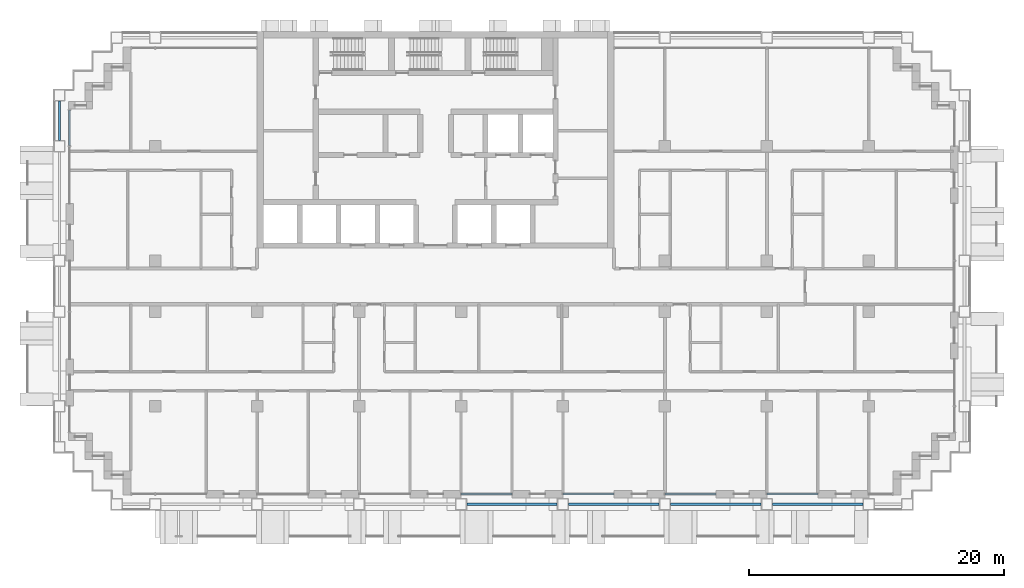
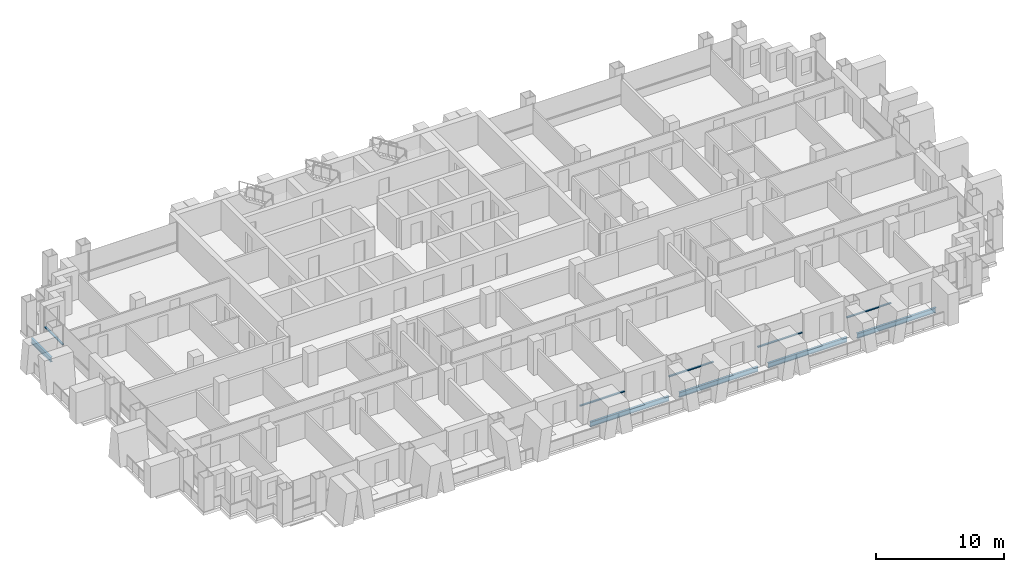
# One storey, part 3 of 18: 5 beams, 5 members, 5 elements without a shape of their own.
"""IFC4 building model written with IfcOpenShell, lengths in metres."""

import ifcopenshell
import ifcopenshell.guid

model = None  # the IFC model being written
_history = None  # IfcOwnerHistory: only IFC2X3 demands one
_inside = {}  # id of a spatial element -> (the spatial element, [elements in it])
_under = {}  # id of a project, library or spatial element -> (it, [spatial elements below it])
_declared = {}  # id of a project -> (the project, [libraries it declares])
_typed = {}  # id of a type object -> (the type object, [elements of that type])
_made_of = {}  # id of a material, layer set ... -> (it, [elements and type objects made of it])


def new_model(schema):
    """Start an empty IFC model of exactly this schema.

    Asked for "IFC4X3", IfcOpenShell would pick the latest addendum, in which some entities
    have other attributes; the version numbers below select the first issue.
    IFC2X3 requires an IfcOwnerHistory on every rooted entity: one is made here for all.
    """
    global model, _history
    if schema == "IFC4X3":
        model = ifcopenshell.file(schema_version=(4, 3, 0, 0))
    else:
        model = ifcopenshell.file(schema=schema)
    _inside.clear()
    _under.clear()
    _declared.clear()
    _typed.clear()
    _made_of.clear()
    _history = None
    if model.schema == "IFC2X3":
        org = make("IfcOrganization", Name="unknown")
        user = make(
            "IfcPersonAndOrganization",
            ThePerson=make("IfcPerson", FamilyName="unknown"),
            TheOrganization=org,
        )
        app = make(
            "IfcApplication",
            ApplicationDeveloper=org,
            Version="unknown",
            ApplicationFullName="unknown",
            ApplicationIdentifier="unknown",
        )
        _history = make(
            "IfcOwnerHistory",
            OwningUser=user,
            OwningApplication=app,
            ChangeAction="ADDED",
            CreationDate=0,
        )
    return model


def make(cls, **values):
    """One entity of the class cls with the attributes given. An attribute that is None is left unset."""
    return model.create_entity(
        cls, **{name: value for name, value in values.items() if value is not None}
    )


def rooted(cls, **values):
    """An entity with a GlobalId (a new one), such as an element, a storey or a relation."""
    return make(cls, GlobalId=ifcopenshell.guid.new(), OwnerHistory=_history, **values)


def si_unit(unit_type, name, prefix=None):
    """IfcSIUnit, for example si_unit("LENGTHUNIT", "METRE", prefix="MILLI")."""
    return make("IfcSIUnit", UnitType=unit_type, Prefix=prefix, Name=name)


def assignment(units):
    """IfcUnitAssignment: the units of a project."""
    return None if units is None else make("IfcUnitAssignment", Units=units)


def point(xyz):
    """IfcCartesianPoint."""
    return None if xyz is None else make("IfcCartesianPoint", Coordinates=xyz)


def direction(xyz):
    """IfcDirection."""
    return None if xyz is None else make("IfcDirection", DirectionRatios=xyz)


def frame(location, z_axis=None, x_axis=None):
    """IfcAxis2Placement3D, a coordinate frame: its origin and axes. An axis left out is left unset."""
    return make(
        "IfcAxis2Placement3D",
        Location=point(location),
        Axis=direction(z_axis),
        RefDirection=direction(x_axis),
    )


def frame_2d(location, x_axis=None):
    """IfcAxis2Placement2D, a coordinate frame in the plane: its origin and x axis."""
    return make(
        "IfcAxis2Placement2D", Location=point(location), RefDirection=direction(x_axis)
    )


def origin():
    """The frame at (0, 0, 0) with its axes left unset."""
    return frame((0.0, 0.0, 0.0))


def origin_2d():
    """The frame at (0, 0) in the plane with its x axis left unset."""
    return frame_2d((0.0, 0.0))


def place(relative_to, where):
    """IfcLocalPlacement: puts the frame where relative to a parent placement (None: the world)."""
    return make(
        "IfcLocalPlacement", PlacementRelTo=relative_to, RelativePlacement=where
    )


def context(
    kind, dimensions, precision=None, world=None, true_north=None, identifier=None
):
    """IfcGeometricRepresentationContext, for example the 3D "Model" context."""
    return make(
        "IfcGeometricRepresentationContext",
        ContextIdentifier=identifier,
        ContextType=kind,
        CoordinateSpaceDimension=dimensions,
        Precision=precision,
        WorldCoordinateSystem=world,
        TrueNorth=true_north,
    )


def subcontext(parent, identifier, kind, view, scale=None):
    """IfcGeometricRepresentationSubContext, for example "Body" below "Model"."""
    return make(
        "IfcGeometricRepresentationSubContext",
        ContextIdentifier=identifier,
        ContextType=kind,
        ParentContext=parent,
        TargetScale=scale,
        TargetView=view,
    )


def project(units=None, contexts=None):
    """IfcProject with its units and contexts."""
    return rooted(
        "IfcProject",
        Name="project",
        RepresentationContexts=contexts,
        UnitsInContext=assignment(units),
    )


def spatial(cls, under=None, at=None, **own):
    """A site, building, storey or space (cls), placed at a placement, below another one or the project."""
    s = rooted(cls, ObjectPlacement=at, **own)
    if under is not None:
        _under.setdefault(under.id(), (under, []))[1].append(s)
    return s


def profile(cls, at=None, kind="AREA", **sizes):
    """A parametric profile (cls). Its sizes go by their IFC names, for example OverallWidth=200.0."""
    return make(cls, ProfileType=kind, Position=at, **sizes)


def rectangle(**sizes):
    """IfcRectangleProfileDef."""
    return profile("IfcRectangleProfileDef", **sizes)


def i_section(**sizes):
    """IfcIShapeProfileDef."""
    return profile("IfcIShapeProfileDef", **sizes)


def extrude(swept, where, along, depth):
    """IfcExtrudedAreaSolid: the profile swept, set in the frame where, extruded along a direction by depth."""
    return make(
        "IfcExtrudedAreaSolid",
        SweptArea=swept,
        Position=where,
        ExtrudedDirection=direction(along),
        Depth=depth,
    )


def shape(context_of_items, identifier, shape_type, items):
    """IfcShapeRepresentation: the items that make up one representation, for example the "Body"."""
    return make(
        "IfcShapeRepresentation",
        ContextOfItems=context_of_items,
        RepresentationIdentifier=identifier,
        RepresentationType=shape_type,
        Items=items,
    )


def material(Name=None, Category=None):
    """IfcMaterial."""
    return make("IfcMaterial", Name=Name, Category=Category)


def material_profile(
    of_material, cross_section, Name=None, Category=None, Priority=None
):
    """IfcMaterialProfile: a cross section and its material."""
    return make(
        "IfcMaterialProfile",
        Name=Name,
        Material=of_material,
        Profile=cross_section,
        Priority=Priority,
        Category=Category,
    )


def profile_set(profiles, Name=None, composite=None):
    """IfcMaterialProfileSet."""
    return make(
        "IfcMaterialProfileSet",
        Name=Name,
        MaterialProfiles=profiles,
        CompositeProfile=composite,
    )


def made_of(thing, what):
    """Note that an element or type object is made of a material, layer set ...; save() writes the relation."""
    if what is not None:
        _made_of.setdefault(what.id(), (what, []))[1].append(thing)
    return thing


def type_object(cls, material=None, **own):
    """A type object (cls), such as IfcWallType, which elements share."""
    return made_of(rooted(cls, **own), material)


def element(
    cls,
    number,
    at=None,
    inside=None,
    cuts=None,
    type_object=None,
    material=None,
    context=None,
    identifier="Body",
    shape_type=None,
    held_by="IfcProductDefinitionShape",
    body=None,
    shapes=None,
    **own,
):
    """One element of the class cls, such as IfcWall. Its Tag is "e" and its number.

    at: its placement. inside: the storey or other place that contains it. cuts: it is an
    opening in that element (IfcRelVoidsElement). A single representation is given by context,
    identifier, shape_type and body (its items); several are given by shapes. held_by: the class
    of the entity that holds the representations. save() writes the other relations.
    """
    e = rooted(cls, Tag="e%d" % number, ObjectPlacement=at, **own)
    if body is not None:
        shapes = [shape(context, identifier, shape_type, body)]
    if shapes is not None:
        e.Representation = make(held_by, Representations=shapes)
    if inside is not None:
        _inside.setdefault(inside.id(), (inside, []))[1].append(e)
    if cuts is not None:
        rooted(
            "IfcRelVoidsElement", RelatingBuildingElement=cuts, RelatedOpeningElement=e
        )
    if type_object is not None:
        _typed.setdefault(type_object.id(), (type_object, []))[1].append(e)
    return made_of(e, material)


def aggregate(whole, parts):
    """IfcRelAggregates: a whole, such as a stair, and the parts it consists of."""
    return rooted("IfcRelAggregates", RelatingObject=whole, RelatedObjects=parts)


def save(model, path):
    """Write the relations noted so far, then the file.

    IfcRelAggregates (storeys below a building ...), IfcRelContainedInSpatialStructure (elements
    in a storey), IfcRelDefinesByType, IfcRelAssociatesMaterial and IfcRelDeclares: one each for
    every whole, place, type object, material and project.
    """
    for whole, parts in _under.values():
        aggregate(whole, parts)
    for where, things in _inside.values():
        rooted(
            "IfcRelContainedInSpatialStructure",
            RelatedElements=things,
            RelatingStructure=where,
        )
    for kind, things in _typed.values():
        rooted("IfcRelDefinesByType", RelatedObjects=things, RelatingType=kind)
    for what, things in _made_of.values():
        rooted("IfcRelAssociatesMaterial", RelatedObjects=things, RelatingMaterial=what)
    for by, libraries in _declared.values():
        rooted("IfcRelDeclares", RelatingContext=by, RelatedDefinitions=libraries)
    model.write(path)


model = new_model("IFC4")

# Units and contexts
model_context = context("Model", 3, precision=1e-05, world=origin(), true_north=direction((0.0, 1.0)))
body_context = subcontext(model_context, "Body", "Model", "MODEL_VIEW")
ifc_project = project(units=[si_unit("LENGTHUNIT", "METRE"), si_unit("AREAUNIT", "SQUARE_METRE"), si_unit("VOLUMEUNIT", "CUBIC_METRE"), si_unit("PLANEANGLEUNIT", "RADIAN"), si_unit("MASSUNIT", "GRAM", prefix="KILO")], contexts=[model_context])

# Site, building, storey
site_placement = place(None, origin())
site = spatial("IfcSite", under=ifc_project, at=site_placement, CompositionType="ELEMENT")
building_placement = place(site_placement, origin())
building = spatial("IfcBuilding", under=site, at=building_placement, Name="Vidyagriha Tower", CompositionType="ELEMENT")
storey_placement = place(building_placement, frame((0.0, 0.0, 103.10009765625)))
storey = spatial("IfcBuildingStorey", under=building, at=storey_placement, Name="L27", CompositionType="ELEMENT", Elevation=103.10009765625)

# Beams
ifc_material_1 = material(Name="Steel ASTM A992 Grade 50", Category="steel")
ifc_material_profile_1 = material_profile(ifc_material_1, i_section(OverallWidth=0.19189453125, OverallDepth=0.46240234375, WebThickness=0.010498046875, FlangeThickness=0.017578125, at=origin_2d()), Name="W18X60")
ifc_profile_set_1 = profile_set([ifc_material_profile_1], Name="Steel ASTM A992 Grade 50")
beam_type = type_object("IfcBeamType", Name="Edge beam W18X60", PredefinedType="SPANDREL", material=ifc_profile_set_1)
for number, where, z_axis, x_axis, name in (
    (1, (2.449951171875, -17.10009765625, -0.51123046875), (1.0, 0.0, 0.0), (0.0, 1.0, 0.0), "st-beam-L27-S05"),
    (2, (10.449951171875, -17.10009765625, -0.51123046875), (1.0, 0.0, 0.0), (0.0, 1.0, 0.0), "st-beam-L27-S06"),
    (3, (18.449951171875, -17.10009765625, -0.51123046875), (1.0, 0.0, 0.0), (0.0, 1.0, 0.0), "st-beam-L27-S07"),
    (4, (26.449951171875, -17.10009765625, -0.51123046875), (1.0, 0.0, 0.0), (0.0, 1.0, 0.0), "st-beam-L27-S08"),
):
    element("IfcBeam", number, at=place(storey_placement, frame(where, z_axis=z_axis, x_axis=x_axis)), inside=storey, type_object=beam_type, Name=name, PredefinedType="SPANDREL", context=body_context, shape_type="SweptSolid", body=[
        extrude(i_section(OverallWidth=0.19189453125, OverallDepth=0.46240234375, WebThickness=0.010498046875, FlangeThickness=0.017578125, at=origin_2d()), origin(), (0.0, 0.0, 1.0), 7.10009765625),
    ])
beam_placement = place(storey_placement, frame((-29.5, 11.449951171875, -0.51123046875), z_axis=(0.0, 1.0, 0.0), x_axis=(-1.0, 0.0, 0.0)))
element("IfcBeam", 5, at=beam_placement, inside=storey, type_object=beam_type, Name="st-beam-L27-W14", PredefinedType="SPANDREL", context=body_context, shape_type="SweptSolid", body=[
    extrude(i_section(OverallWidth=0.19189453125, OverallDepth=0.46240234375, WebThickness=0.010498046875, FlangeThickness=0.017578125, at=origin_2d()), origin(), (0.0, 0.0, 1.0), 3.10009765625),
])

# Curtain wall, member
ifc_material_2 = material(Name="Aluminium and glass curtain wall", Category="aluminium")
curtain_wall_type = type_object("IfcCurtainWallType", Name="Dwelling skin unitised curtain wall", PredefinedType="USERDEFINED", material=ifc_material_2)
curtain_wall_1_placement = place(storey_placement, origin())
curtain_wall_1 = element("IfcCurtainWall", 6, at=curtain_wall_1_placement, inside=storey, type_object=curtain_wall_type, Name="CW1 dwelling skin", ObjectType="UNITISED", PredefinedType="USERDEFINED")
ifc_material_3 = material(Name="Aluminium black anodised", Category="aluminium")
ifc_material_profile_2 = material_profile(ifc_material_3, rectangle(XDim=0.159912109375, YDim=0.10009765625, at=origin_2d()), Name="Transom 100x160 black aluminium")
ifc_profile_set_2 = profile_set([ifc_material_profile_2], Name="Aluminium black anodised")
member_type = type_object("IfcMemberType", Name="Transom 100x160 black aluminium", PredefinedType="USERDEFINED", material=ifc_profile_set_2)
member_1_placement = place(storey_placement, frame((-28.699951171875, 13.830078125, 0.89990234375), z_axis=(0.0, -1.0, 0.0), x_axis=(1.0, 0.0, 0.0)))
member_1 = element("IfcMember", 7, at=member_1_placement, type_object=member_type, Name="CW1 transom 1.1", ObjectType="TRANSOM", PredefinedType="USERDEFINED", context=body_context, shape_type="SweptSolid", body=[
    extrude(rectangle(XDim=0.159912109375, YDim=0.10009765625, at=origin_2d()), origin(), (0.0, 0.0, 1.0), 2.795166015625),
])
aggregate(curtain_wall_1, [member_1])

curtain_wall_2_placement = place(storey_placement, origin())
curtain_wall_2 = element("IfcCurtainWall", 8, at=curtain_wall_2_placement, inside=storey, type_object=curtain_wall_type, Name="CW1 dwelling skin", ObjectType="UNITISED", PredefinedType="USERDEFINED")
member_2_placement = place(storey_placement, frame((2.0, -16.300048828125, 0.89990234375), z_axis=(1.0, 0.0, 0.0), x_axis=(0.0, 1.0, 0.0)))
member_2 = element("IfcMember", 9, at=member_2_placement, type_object=member_type, Name="CW1 transom 1.1", ObjectType="TRANSOM", PredefinedType="USERDEFINED", context=body_context, shape_type="SweptSolid", body=[
    extrude(rectangle(XDim=0.159912109375, YDim=0.10009765625, at=origin_2d()), origin(), (0.0, 0.0, 1.0), 4.0),
])
aggregate(curtain_wall_2, [member_2])

curtain_wall_3_placement = place(storey_placement, origin())
curtain_wall_3 = element("IfcCurtainWall", 10, at=curtain_wall_3_placement, inside=storey, type_object=curtain_wall_type, Name="CW1 dwelling skin", ObjectType="UNITISED", PredefinedType="USERDEFINED")
member_3_placement = place(storey_placement, frame((10.0, -16.300048828125, 0.89990234375), z_axis=(1.0, 0.0, 0.0), x_axis=(0.0, 1.0, 0.0)))
member_3 = element("IfcMember", 11, at=member_3_placement, type_object=member_type, Name="CW1 transom 1.1", ObjectType="TRANSOM", PredefinedType="USERDEFINED", context=body_context, shape_type="SweptSolid", body=[
    extrude(rectangle(XDim=0.159912109375, YDim=0.10009765625, at=origin_2d()), origin(), (0.0, 0.0, 1.0), 4.0),
])
aggregate(curtain_wall_3, [member_3])

curtain_wall_4_placement = place(storey_placement, origin())
curtain_wall_4 = element("IfcCurtainWall", 12, at=curtain_wall_4_placement, inside=storey, type_object=curtain_wall_type, Name="CW1 dwelling skin", ObjectType="UNITISED", PredefinedType="USERDEFINED")
member_4_placement = place(storey_placement, frame((18.0, -16.300048828125, 0.89990234375), z_axis=(1.0, 0.0, 0.0), x_axis=(0.0, 1.0, 0.0)))
member_4 = element("IfcMember", 13, at=member_4_placement, type_object=member_type, Name="CW1 transom 1.1", ObjectType="TRANSOM", PredefinedType="USERDEFINED", context=body_context, shape_type="SweptSolid", body=[
    extrude(rectangle(XDim=0.159912109375, YDim=0.10009765625, at=origin_2d()), origin(), (0.0, 0.0, 1.0), 4.0),
])
aggregate(curtain_wall_4, [member_4])

curtain_wall_5_placement = place(storey_placement, origin())
curtain_wall_5 = element("IfcCurtainWall", 14, at=curtain_wall_5_placement, inside=storey, type_object=curtain_wall_type, Name="CW1 dwelling skin", ObjectType="UNITISED", PredefinedType="USERDEFINED")
member_5_placement = place(storey_placement, frame((26.0, -16.300048828125, 0.89990234375), z_axis=(1.0, 0.0, 0.0), x_axis=(0.0, 1.0, 0.0)))
member_5 = element("IfcMember", 15, at=member_5_placement, type_object=member_type, Name="CW1 transom 1.1", ObjectType="TRANSOM", PredefinedType="USERDEFINED", context=body_context, shape_type="SweptSolid", body=[
    extrude(rectangle(XDim=0.159912109375, YDim=0.10009765625, at=origin_2d()), origin(), (0.0, 0.0, 1.0), 4.0),
])
aggregate(curtain_wall_5, [member_5])

save(model, "model.ifc")
